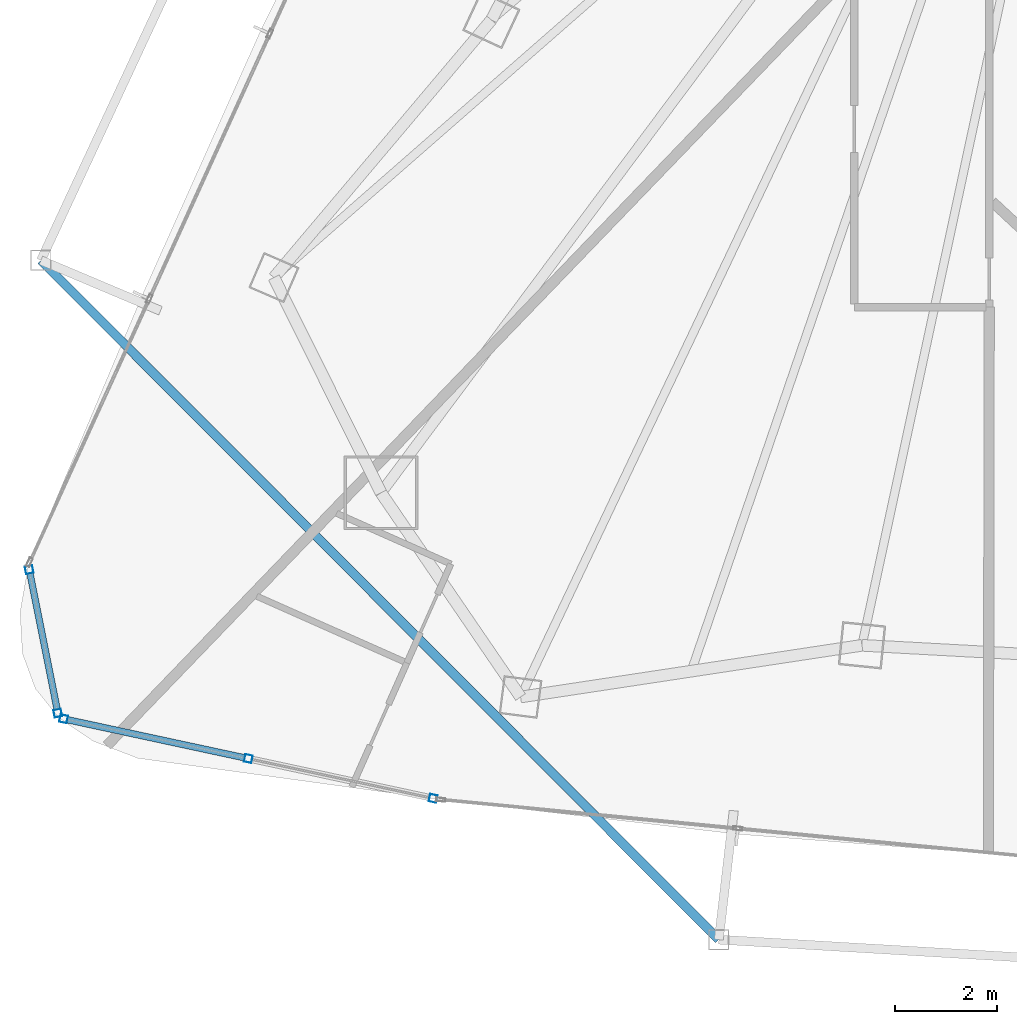
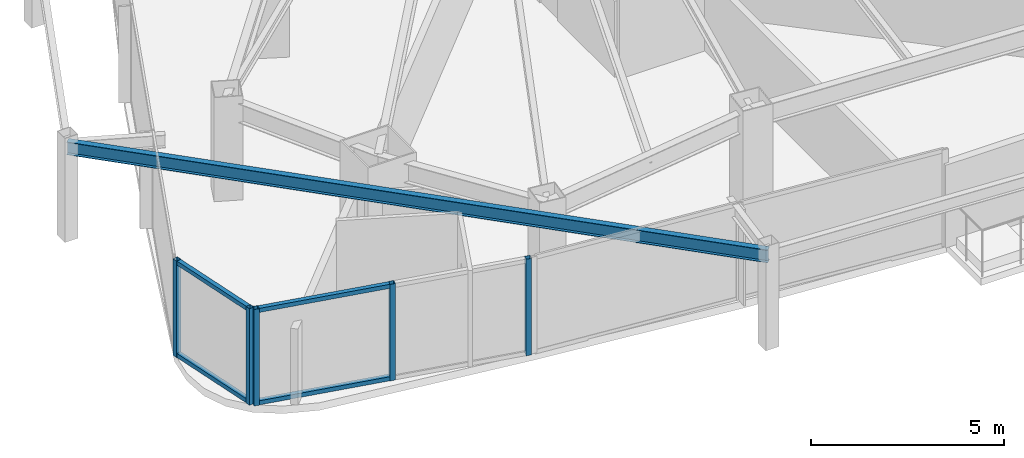
# One storey, part 2 of 31: 9 members, 1 beam, 2 elements without a shape of their own.
"""IFC4 building model written with IfcOpenShell, lengths in metres."""

from ifc_helpers import new_model, si_unit, direction, frame, origin, origin_2d, place, context, subcontext, project, spatial, hollow_rectangle, i_section, extrude, material, layer, layer_set, material_profile, profile_set, type_object, element, aggregate, save


model = new_model("IFC4")

# Units and contexts
model_context = context("Model", 3, precision=1e-05, world=origin(), true_north=direction((0.0, 1.0)))
body_context = subcontext(model_context, "Body", "Model", "MODEL_VIEW")
ifc_project = project(units=[si_unit("LENGTHUNIT", "METRE"), si_unit("AREAUNIT", "SQUARE_METRE"), si_unit("VOLUMEUNIT", "CUBIC_METRE"), si_unit("PLANEANGLEUNIT", "RADIAN"), si_unit("MASSUNIT", "GRAM", prefix="KILO")], contexts=[model_context])

# Site, building, storey
site_placement = place(None, origin())
site = spatial("IfcSite", under=ifc_project, at=site_placement, CompositionType="ELEMENT")
building_placement = place(site_placement, origin())
building = spatial("IfcBuilding", under=site, at=building_placement, Name="Orvanel Arch Residences", CompositionType="ELEMENT")
storey_placement = place(building_placement, frame((0.0, 0.0, 129.800048828125)))
storey = spatial("IfcBuildingStorey", under=building, at=storey_placement, Name="L36", CompositionType="ELEMENT", Elevation=129.800048828125)

# Curtain wall, members
ifc_material_1 = material(Name="Bronze-anodised aluminium AA6063-T6", Category="aluminium")
ifc_layer = layer(ifc_material_1, 0.18994140625)
ifc_layer_set = layer_set([ifc_layer], Name="Bronze-anodised aluminium AA6063-T6")
curtain_wall_type = type_object("IfcCurtainWallType", Name="CW5-CRN-SYS", PredefinedType="NOTDEFINED", material=ifc_layer_set)
curtain_wall_1_placement = place(storey_placement, origin())
curtain_wall_1 = element("IfcCurtainWall", 1, at=curtain_wall_1_placement, inside=storey, type_object=curtain_wall_type, Name="L36 CW5-CRN-SYS Unitised Curtain Wall", PredefinedType="NOTDEFINED")
ifc_material_profile_1 = material_profile(ifc_material_1, hollow_rectangle(XDim=0.14990234375, YDim=0.14990234375, WallThickness=0.0048828125, at=origin_2d()), Name="ALU150x150x5")
ifc_profile_set_1 = profile_set([ifc_material_profile_1], Name="Bronze-anodised aluminium AA6063-T6")
member_type_1 = type_object("IfcMemberType", Name="MUL-150x150", PredefinedType="MULLION", material=ifc_profile_set_1)
member_1_placement = place(storey_placement, frame((7.28759765625, 8.84033203125, 0.0), z_axis=(0.0, 0.0, 1.0), x_axis=(0.980644227977, 0.195798105544, 0.0)))
member_1 = element("IfcMember", 2, at=member_1_placement, type_object=member_type_1, Name="CW-S5 mullion 1", PredefinedType="MULLION", context=body_context, shape_type="SweptSolid", body=[
    extrude(hollow_rectangle(XDim=0.14990234375, YDim=0.14990234375, WallThickness=0.0048828125, at=origin_2d()), origin(), (0.0, 0.0, 1.0), 3.06005859375),
])
member_2_placement = place(storey_placement, frame((7.850341796875, 6.0224609375, 0.0), z_axis=(0.0, 0.0, 1.0), x_axis=(0.980644227977, 0.195798105544, 0.0)))
member_2 = element("IfcMember", 3, at=member_2_placement, type_object=member_type_1, Name="CW-S5 mullion 2", PredefinedType="MULLION", context=body_context, shape_type="SweptSolid", body=[
    extrude(hollow_rectangle(XDim=0.14990234375, YDim=0.14990234375, WallThickness=0.0048828125, at=origin_2d()), origin(), (0.0, 0.0, 1.0), 3.06005859375),
])

curtain_wall_2_placement = place(storey_placement, origin())
curtain_wall_2 = element("IfcCurtainWall", 4, at=curtain_wall_2_placement, inside=storey, type_object=curtain_wall_type, Name="L36 CW5-CRN-SYS Unitised Curtain Wall", PredefinedType="NOTDEFINED")
member_3_placement = place(storey_placement, frame((7.96240234375, 5.9091796875, 0.0), z_axis=(0.0, 0.0, 1.0), x_axis=(0.210385306266, 0.977618546728, 0.0)))
member_3 = element("IfcMember", 5, at=member_3_placement, type_object=member_type_1, Name="CW-S5 mullion 1", PredefinedType="MULLION", context=body_context, shape_type="SweptSolid", body=[
    extrude(hollow_rectangle(XDim=0.14990234375, YDim=0.14990234375, WallThickness=0.0048828125, at=origin_2d()), origin(), (0.0, 0.0, 1.0), 3.06005859375),
])
member_4_placement = place(storey_placement, frame((11.592529296875, 5.1279296875, 0.0), z_axis=(0.0, 0.0, 1.0), x_axis=(0.210385306266, 0.977618546728, 0.0)))
member_4 = element("IfcMember", 6, at=member_4_placement, type_object=member_type_1, Name="CW-S5 mullion 2", PredefinedType="MULLION", context=body_context, shape_type="SweptSolid", body=[
    extrude(hollow_rectangle(XDim=0.14990234375, YDim=0.14990234375, WallThickness=0.0048828125, at=origin_2d()), origin(), (0.0, 0.0, 1.0), 3.06005859375),
])
member_5_placement = place(storey_placement, frame((15.22265625, 4.3466796875, 0.0), z_axis=(0.0, 0.0, 1.0), x_axis=(0.210385306266, 0.977618546728, 0.0)))
member_5 = element("IfcMember", 7, at=member_5_placement, type_object=member_type_1, Name="CW-S5 mullion 3", PredefinedType="MULLION", context=body_context, shape_type="SweptSolid", body=[
    extrude(hollow_rectangle(XDim=0.14990234375, YDim=0.14990234375, WallThickness=0.0048828125, at=origin_2d()), origin(), (0.0, 0.0, 1.0), 3.06005859375),
])

# Beam
ifc_material_2 = material(Name="Structural steel AS/NZS 3679.1 Grade 300 (300 MPa)", Category="steel")
ifc_material_profile_2 = material_profile(ifc_material_2, i_section(OverallWidth=0.177978515625, OverallDepth=0.406005859375, WebThickness=0.0078125, FlangeThickness=0.0126953125, at=origin_2d()), Name="410UB59.7")
ifc_profile_set_2 = profile_set([ifc_material_profile_2], Name="Structural steel AS/NZS 3679.1 Grade 300 (300 MPa)")
beam_type = type_object("IfcBeamType", Name="OB-410UB-EXT", PredefinedType="SPANDREL", material=ifc_profile_set_2)
beam_placement = place(storey_placement, frame((7.51708984375, 14.9189453125, 2.85693359375), z_axis=(0.706361882732, -0.707850895756, 0.0), x_axis=(0.707850895756, 0.706361882732, 0.0)))
element("IfcBeam", 8, at=beam_placement, inside=storey, type_object=beam_type, Name="L36 Outer Perimeter Floor Ring Beam 04", PredefinedType="SPANDREL", context=body_context, shape_type="SweptSolid", body=[
    extrude(i_section(OverallWidth=0.177978515625, OverallDepth=0.406005859375, WebThickness=0.0078125, FlangeThickness=0.0126953125, at=origin_2d()), origin(), (0.0, 0.0, 1.0), 18.85546875),
])

# Member
ifc_material_profile_3 = material_profile(ifc_material_1, hollow_rectangle(XDim=0.1298828125, YDim=0.1298828125, WallThickness=0.00439453125, at=origin_2d()), Name="ALU130x130x4.5")
ifc_profile_set_3 = profile_set([ifc_material_profile_3], Name="Bronze-anodised aluminium AA6063-T6")
member_type_2 = type_object("IfcMemberType", Name="TRN-130x130", PredefinedType="USERDEFINED", material=ifc_profile_set_3)
member_6_placement = place(storey_placement, frame((7.302490234375, 8.766845703125, 0.06494140625), z_axis=(0.195788568652, -0.980646132091, 0.0), x_axis=(0.980646132091, 0.195788568652, 0.0)))
member_6 = element("IfcMember", 9, at=member_6_placement, type_object=member_type_2, Name="CW-S5 transom 1.1", ObjectType="TRANSOM", PredefinedType="USERDEFINED", context=body_context, shape_type="SweptSolid", body=[
    extrude(hollow_rectangle(XDim=0.1298828125, YDim=0.1298828125, WallThickness=0.00439453125, at=origin_2d()), origin(), (0.0, 0.0, 1.0), 2.723388671875),
])

member_7_placement = place(storey_placement, frame((7.302490234375, 8.766845703125, 2.994873046875), z_axis=(0.195788568652, -0.980646132091, 0.0), x_axis=(0.980646132091, 0.195788568652, 0.0)))
member_7 = element("IfcMember", 10, at=member_7_placement, type_object=member_type_2, Name="CW-S5 transom 1.2", ObjectType="TRANSOM", PredefinedType="USERDEFINED", context=body_context, shape_type="SweptSolid", body=[
    extrude(hollow_rectangle(XDim=0.1298828125, YDim=0.1298828125, WallThickness=0.00439453125, at=origin_2d()), origin(), (0.0, 0.0, 1.0), 2.723388671875),
])

aggregate(curtain_wall_1, [member_1, member_2, member_6, member_7])

member_8_placement = place(storey_placement, frame((8.03564453125, 5.8935546875, 0.06494140625), z_axis=(0.977614530448, -0.210403968253, 0.0), x_axis=(0.210403968253, 0.977614530448, 0.0)))
member_8 = element("IfcMember", 11, at=member_8_placement, type_object=member_type_2, Name="CW-S5 transom 1.1", ObjectType="TRANSOM", PredefinedType="USERDEFINED", context=body_context, shape_type="SweptSolid", body=[
    extrude(hollow_rectangle(XDim=0.1298828125, YDim=0.1298828125, WallThickness=0.00439453125, at=origin_2d()), origin(), (0.0, 0.0, 1.0), 3.5634765625),
])

member_9_placement = place(storey_placement, frame((8.03564453125, 5.8935546875, 2.994873046875), z_axis=(0.977614530448, -0.210403968253, 0.0), x_axis=(0.210403968253, 0.977614530448, 0.0)))
member_9 = element("IfcMember", 12, at=member_9_placement, type_object=member_type_2, Name="CW-S5 transom 1.2", ObjectType="TRANSOM", PredefinedType="USERDEFINED", context=body_context, shape_type="SweptSolid", body=[
    extrude(hollow_rectangle(XDim=0.1298828125, YDim=0.1298828125, WallThickness=0.00439453125, at=origin_2d()), origin(), (0.0, 0.0, 1.0), 3.5634765625),
])

aggregate(curtain_wall_2, [member_3, member_4, member_5, member_8, member_9])

save(model, "model.ifc")
